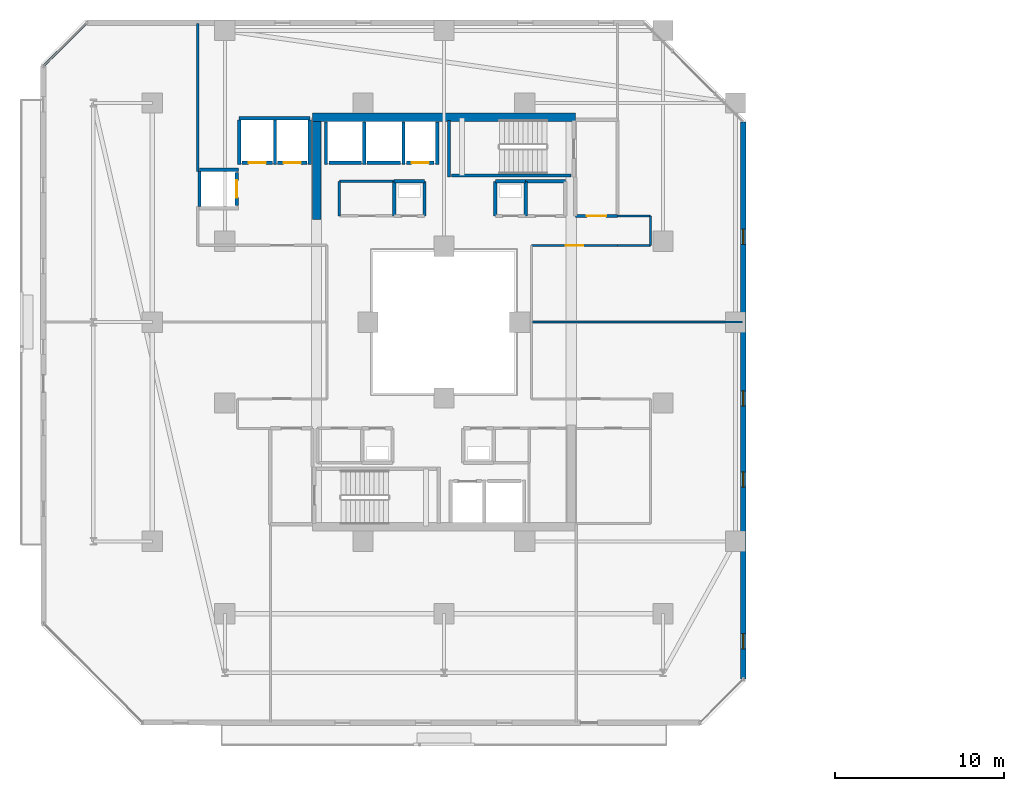
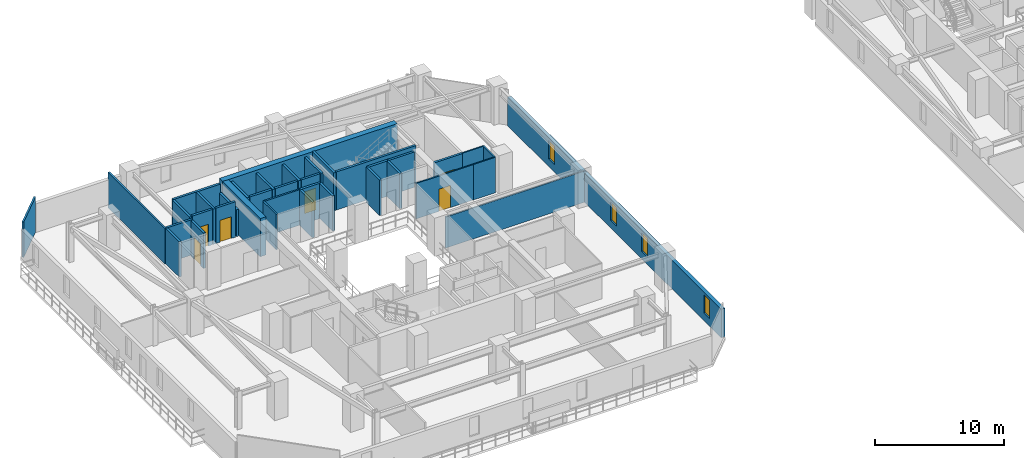
# One storey, part 20 of 32: 38 walls, 6 doors, 4 windows, 10 openings.
"""IFC4 building model written with IfcOpenShell, lengths in metres."""

from ifc_helpers import new_model, si_unit, direction, frame, frame_2d, origin, place, context, subcontext, project, spatial, rectangle, extrude, material, layer, layer_set, type_object, element, fill, save


model = new_model("IFC4")

# Units and contexts
model_context = context("Model", 3, precision=1e-05, world=origin(), true_north=direction((0.0, 1.0)))
body_context = subcontext(model_context, "Body", "Model", "MODEL_VIEW")
ifc_project = project(units=[si_unit("LENGTHUNIT", "METRE"), si_unit("AREAUNIT", "SQUARE_METRE"), si_unit("VOLUMEUNIT", "CUBIC_METRE"), si_unit("PLANEANGLEUNIT", "RADIAN"), si_unit("MASSUNIT", "GRAM", prefix="KILO")], contexts=[model_context])

# Site, building, storey
site_placement = place(None, origin())
site = spatial("IfcSite", under=ifc_project, at=site_placement, CompositionType="ELEMENT")
building_placement = place(site_placement, origin())
building = spatial("IfcBuilding", under=site, at=building_placement, Name="Thornwick Lancets Civic Towers", CompositionType="ELEMENT")
storey_placement = place(building_placement, frame((0.0, 0.0, 123.300048828125)))
storey = spatial("IfcBuildingStorey", under=building, at=storey_placement, Name="L32", CompositionType="ELEMENT", Elevation=123.300048828125)

# Wall, opening, door
ifc_material_1 = material(Name="Concrete blockwork C40/50", Category="masonry")
ifc_layer_1 = layer(ifc_material_1, 0.199951171875, Name="Concrete blockwork C40/50")
ifc_layer_set_1 = layer_set([ifc_layer_1], Name="Concrete blockwork C40/50")
wall_type_1 = type_object("IfcWallType", Name="WALL_COMP_200", PredefinedType="STANDARD", material=ifc_layer_set_1)
wall_1_placement = place(storey_placement, frame((24.919921875, 36.449951171875, 0.0), z_axis=(0.0, 0.0, 1.0), x_axis=(-1.0, 0.0, 0.0)))
wall_1 = element("IfcWall", 1, at=wall_1_placement, inside=storey, type_object=wall_type_1, Name="L32 Hoistway Front Wall FL-A2", PredefinedType="STANDARD", context=body_context, shape_type="SweptSolid", body=[
    extrude(rectangle(XDim=1.639892578125, YDim=0.199951171875, at=frame_2d((0.81982421875, 0.0))), origin(), (0.0, 0.0, 1.0), 3.33984375),
])
opening_1_placement = place(wall_1_placement, frame((0.31005859375, 0.0, 0.0)))
opening_1 = element("IfcOpeningElement", 2, at=opening_1_placement, cuts=wall_1, Name="Opening LD-FL-A2", PredefinedType="OPENING", context=body_context, shape_type="SweptSolid", body=[
    extrude(rectangle(XDim=1.02001953125, YDim=2.06005859375, at=frame_2d((0.510009765625, 1.030029296875))), frame((0.0, 0.10986328125, 0.0), z_axis=(0.0, -1.0, 0.0), x_axis=(1.0, 0.0, 0.0)), (0.0, 0.0, 1.0), 0.219970703125),
])
ifc_material_2 = material(Name="Brushed bronze stainless steel", Category="steel")
door_type_1 = type_object("IfcDoorType", Name="DOOR_LIFT_SLIDE", OperationType="SLIDING_TO_LEFT", PredefinedType="DOOR", material=ifc_material_2)
door_1_placement = place(opening_1_placement, origin())
door_1 = element("IfcDoor", 3, at=door_1_placement, inside=storey, type_object=door_type_1, Name="L32 Sliding Lift Landing Door LD-FL-A2", OperationType="SLIDING_TO_LEFT", OverallHeight=2.06005859375, OverallWidth=1.02001953125, PredefinedType="DOOR", context=body_context, shape_type="SweptSolid", body=[
    extrude(rectangle(XDim=1.02001953125, YDim=2.06005859375, at=frame_2d((0.510009765625, 1.030029296875))), frame((0.0, 0.02490234375, 0.0), z_axis=(0.0, -1.0, 0.0), x_axis=(1.0, 0.0, 0.0)), (0.0, 0.0, 1.0), 0.050048828125),
])
fill(opening_1, door_1)

# Walls
wall_2_placement = place(storey_placement, frame((22.919921875, 36.449951171875, 0.0), z_axis=(0.0, 0.0, 1.0), x_axis=(-1.0, 0.0, 0.0)))
element("IfcWall", 4, at=wall_2_placement, inside=storey, type_object=wall_type_1, Name="L32 Hoistway Front Wall PL-AH2", PredefinedType="STANDARD", context=body_context, shape_type="SweptSolid", body=[
    extrude(rectangle(XDim=1.989990234375, YDim=0.199951171875, at=frame_2d((0.9951171875, 0.0))), origin(), (0.0, 0.0, 1.0), 3.33984375),
])
wall_3_placement = place(storey_placement, frame((20.6201171875, 36.449951171875, 0.0), z_axis=(0.0, 0.0, 1.0), x_axis=(-1.0, 0.0, 0.0)))
element("IfcWall", 5, at=wall_3_placement, inside=storey, type_object=wall_type_1, Name="L32 Hoistway Front Wall PL-AH3", PredefinedType="STANDARD", context=body_context, shape_type="SweptSolid", body=[
    extrude(rectangle(XDim=1.940185546875, YDim=0.199951171875, at=frame_2d((0.97021484375, 0.0))), origin(), (0.0, 0.0, 1.0), 3.33984375),
])

# Wall, opening, door
wall_4_placement = place(storey_placement, frame((17.3701171875, 36.449951171875, 0.0), z_axis=(0.0, 0.0, 1.0), x_axis=(-1.0, 0.0, 0.0)))
wall_4 = element("IfcWall", 6, at=wall_4_placement, inside=storey, type_object=wall_type_1, Name="L32 Hoistway Front Wall PL-AM1", PredefinedType="STANDARD", context=body_context, shape_type="SweptSolid", body=[
    extrude(rectangle(XDim=1.740234375, YDim=0.199951171875, at=frame_2d((0.8701171875, 0.0))), origin(), (0.0, 0.0, 1.0), 3.33984375),
])
opening_2_placement = place(wall_4_placement, frame((0.360107421875, 0.0, 0.0)))
opening_2 = element("IfcOpeningElement", 7, at=opening_2_placement, cuts=wall_4, Name="Opening LD-PL-AM1", PredefinedType="OPENING", context=body_context, shape_type="SweptSolid", body=[
    extrude(rectangle(XDim=1.02001953125, YDim=2.06005859375, at=frame_2d((0.510009765625, 1.030029296875))), frame((0.0, 0.10986328125, 0.0), z_axis=(0.0, -1.0, 0.0), x_axis=(1.0, 0.0, 0.0)), (0.0, 0.0, 1.0), 0.219970703125),
])
door_2_placement = place(opening_2_placement, origin())
door_2 = element("IfcDoor", 8, at=door_2_placement, inside=storey, type_object=door_type_1, Name="L32 Sliding Lift Landing Door LD-PL-AM1", OperationType="SLIDING_TO_LEFT", OverallHeight=2.06005859375, OverallWidth=1.02001953125, PredefinedType="DOOR", context=body_context, shape_type="SweptSolid", body=[
    extrude(rectangle(XDim=1.02001953125, YDim=2.06005859375, at=frame_2d((0.510009765625, 1.030029296875))), frame((0.0, 0.02490234375, 0.0), z_axis=(0.0, -1.0, 0.0), x_axis=(1.0, 0.0, 0.0)), (0.0, 0.0, 1.0), 0.050048828125),
])
fill(opening_2, door_2)

wall_5_placement = place(storey_placement, frame((15.320068359375, 36.449951171875, 0.0), z_axis=(0.0, 0.0, 1.0), x_axis=(-1.0, 0.0, 0.0)))
wall_5 = element("IfcWall", 9, at=wall_5_placement, inside=storey, type_object=wall_type_1, Name="L32 Hoistway Front Wall PL-AM2", PredefinedType="STANDARD", context=body_context, shape_type="SweptSolid", body=[
    extrude(rectangle(XDim=1.7900390625, YDim=0.199951171875, at=frame_2d((0.89501953125, 0.0))), origin(), (0.0, 0.0, 1.0), 3.33984375),
])
opening_3_placement = place(wall_5_placement, frame((0.385009765625, 0.0, 0.0)))
opening_3 = element("IfcOpeningElement", 10, at=opening_3_placement, cuts=wall_5, Name="Opening LD-PL-AM2", PredefinedType="OPENING", context=body_context, shape_type="SweptSolid", body=[
    extrude(rectangle(XDim=1.02001953125, YDim=2.06005859375, at=frame_2d((0.510009765625, 1.030029296875))), frame((0.0, 0.10986328125, 0.0), z_axis=(0.0, -1.0, 0.0), x_axis=(1.0, 0.0, 0.0)), (0.0, 0.0, 1.0), 0.219970703125),
])
door_3_placement = place(opening_3_placement, origin())
door_3 = element("IfcDoor", 11, at=door_3_placement, inside=storey, type_object=door_type_1, Name="L32 Sliding Lift Landing Door LD-PL-AM2", OperationType="SLIDING_TO_LEFT", OverallHeight=2.06005859375, OverallWidth=1.02001953125, PredefinedType="DOOR", context=body_context, shape_type="SweptSolid", body=[
    extrude(rectangle(XDim=1.02001953125, YDim=2.06005859375, at=frame_2d((0.510009765625, 1.030029296875))), frame((0.0, 0.02490234375, 0.0), z_axis=(0.0, -1.0, 0.0), x_axis=(1.0, 0.0, 0.0)), (0.0, 0.0, 1.0), 0.050048828125),
])
fill(opening_3, door_3)

wall_6_placement = place(storey_placement, frame((13.199951171875, 33.929931640625, 0.0), z_axis=(0.0, 0.0, 1.0), x_axis=(0.0, 1.0, 0.0)))
wall_6 = element("IfcWall", 12, at=wall_6_placement, inside=storey, type_object=wall_type_1, Name="L32 Hoistway Front Wall PL-AM3", PredefinedType="STANDARD", context=body_context, shape_type="SweptSolid", body=[
    extrude(rectangle(XDim=1.940185546875, YDim=0.199951171875, at=frame_2d((0.97021484375, 0.0))), origin(), (0.0, 0.0, 1.0), 3.33984375),
])
opening_4_placement = place(wall_6_placement, frame((0.4599609375, 0.0, 0.0)))
opening_4 = element("IfcOpeningElement", 13, at=opening_4_placement, cuts=wall_6, Name="Opening LD-PL-AM3", PredefinedType="OPENING", context=body_context, shape_type="SweptSolid", body=[
    extrude(rectangle(XDim=1.02001953125, YDim=2.06005859375, at=frame_2d((0.510009765625, 1.030029296875))), frame((0.0, 0.10986328125, 0.0), z_axis=(0.0, -1.0, 0.0), x_axis=(1.0, 0.0, 0.0)), (0.0, 0.0, 1.0), 0.219970703125),
])
door_4_placement = place(opening_4_placement, origin())
door_4 = element("IfcDoor", 14, at=door_4_placement, inside=storey, type_object=door_type_1, Name="L32 Sliding Lift Landing Door LD-PL-AM3", OperationType="SLIDING_TO_LEFT", OverallHeight=2.06005859375, OverallWidth=1.02001953125, PredefinedType="DOOR", context=body_context, shape_type="SweptSolid", body=[
    extrude(rectangle(XDim=1.02001953125, YDim=2.06005859375, at=frame_2d((0.510009765625, 1.030029296875))), frame((0.0, 0.02490234375, 0.0), z_axis=(0.0, -1.0, 0.0), x_axis=(1.0, 0.0, 0.0)), (0.0, 0.0, 1.0), 0.050048828125),
])
fill(opening_4, door_4)

# Walls
for number, where, z_axis, x_axis, name in (
    (15, (25.10009765625, 36.35205078125, 0.0), (0.0, 0.0, 1.0), (0.0, 1.0, 0.0), "L32 Hoistway Shaft Wall FL-A2 E"),
    (16, (23.10009765625, 36.35205078125, 0.0), (0.0, 0.0, 1.0), (0.0, 1.0, 0.0), "L32 Hoistway Shaft Wall FL-A2 W"),
    (17, (20.77490234375, 36.35205078125, 0.0), (0.0, 0.0, 1.0), (0.0, 1.0, 0.0), "L32 Hoistway Shaft Wall PL-AH2 W"),
    (18, (18.5, 36.35205078125, 0.0), (0.0, 0.0, 1.0), (0.0, 1.0, 0.0), "L32 Hoistway Shaft Wall PL-AH3 W"),
):
    element("IfcWall", number, at=place(storey_placement, frame(where, z_axis=z_axis, x_axis=x_axis)), inside=storey, type_object=wall_type_1, Name=name, PredefinedType="STANDARD", context=body_context, shape_type="SweptSolid", body=[
        extrude(rectangle(XDim=2.535888671875, YDim=0.199951171875, at=frame_2d((1.26806640625, 0.0))), origin(), (0.0, 0.0, 1.0), 3.33984375),
    ])
wall_7_placement = place(storey_placement, frame((13.35205078125, 39.10009765625, 0.0), z_axis=(0.0, 0.0, 1.0), x_axis=(1.0, 0.0, 0.0)))
element("IfcWall", 19, at=wall_7_placement, inside=storey, type_object=wall_type_1, Name="L32 Hoistway Shaft Wall PL-AM1 N", PredefinedType="STANDARD", context=body_context, shape_type="SweptSolid", body=[
    extrude(rectangle(XDim=4.196044921875, YDim=0.199951171875, at=frame_2d((2.09814453125, 0.0))), origin(), (0.0, 0.0, 1.0), 3.33984375),
])
wall_8_placement = place(storey_placement, frame((17.550048828125, 36.35205078125, 0.0), z_axis=(0.0, 0.0, 1.0), x_axis=(0.0, 1.0, 0.0)))
element("IfcWall", 20, at=wall_8_placement, inside=storey, type_object=wall_type_1, Name="L32 Hoistway Shaft Wall PL-AM1 E", PredefinedType="STANDARD", context=body_context, shape_type="SweptSolid", body=[
    extrude(rectangle(XDim=2.635986328125, YDim=0.199951171875, at=frame_2d((1.31787109375, 0.0))), origin(), (0.0, 0.0, 1.0), 2.544921875),
])
for number, where, z_axis, x_axis, name in (
    (21, (15.47509765625, 36.35205078125, 0.0), (0.0, 0.0, 1.0), (0.0, 1.0, 0.0), "L32 Hoistway Shaft Wall PL-AM1 W"),
    (22, (13.35009765625, 36.35205078125, 0.0), (0.0, 0.0, 1.0), (0.0, 1.0, 0.0), "L32 Hoistway Shaft Wall PL-AM2 W"),
):
    element("IfcWall", number, at=place(storey_placement, frame(where, z_axis=z_axis, x_axis=x_axis)), inside=storey, type_object=wall_type_1, Name=name, PredefinedType="STANDARD", context=body_context, shape_type="SweptSolid", body=[
        extrude(rectangle(XDim=2.635986328125, YDim=0.199951171875, at=frame_2d((1.31787109375, 0.0))), origin(), (0.0, 0.0, 1.0), 3.33984375),
    ])
wall_9_placement = place(storey_placement, frame((11.001953125, 36.050048828125, 0.0), z_axis=(0.0, 0.0, 1.0), x_axis=(1.0, 0.0, 0.0)))
element("IfcWall", 23, at=wall_9_placement, inside=storey, type_object=wall_type_1, Name="L32 Hoistway Shaft Wall PL-AM3 N", PredefinedType="STANDARD", context=body_context, shape_type="SweptSolid", body=[
    extrude(rectangle(XDim=2.296142578125, YDim=0.199951171875, at=frame_2d((1.14794921875, 0.0))), origin(), (0.0, 0.0, 1.0), 3.33984375),
])
wall_10_placement = place(storey_placement, frame((11.0, 33.862060546875, 0.0), z_axis=(0.0, 0.0, 1.0), x_axis=(0.0, 1.0, 0.0)))
element("IfcWall", 24, at=wall_10_placement, inside=storey, type_object=wall_type_1, Name="L32 Hoistway Shaft Wall PL-AM3 W", PredefinedType="STANDARD", context=body_context, shape_type="SweptSolid", body=[
    extrude(rectangle(XDim=2.075927734375, YDim=0.199951171875, at=frame_2d((1.0380859375, 0.0))), origin(), (0.0, 0.0, 1.0), 3.33984375),
])

# Wall, opening, door
wall_11_placement = place(storey_placement, frame((33.300048828125, 33.300048828125, 0.0), z_axis=(0.0, 0.0, 1.0), x_axis=(1.0, 0.0, 0.0)))
wall_11 = element("IfcWall", 25, at=wall_11_placement, inside=storey, type_object=wall_type_1, Name="L32 Partition L32-A-FFLOB2 E1", PredefinedType="STANDARD", context=body_context, shape_type="SweptSolid", body=[
    extrude(rectangle(XDim=2.5, YDim=0.199951171875, at=frame_2d((1.25, 0.0))), origin(), (0.0, 0.0, 1.0), 3.33984375),
])
opening_5_placement = place(wall_11_placement, frame((0.675048828125, 0.0, 0.0)))
opening_5 = element("IfcOpeningElement", 26, at=opening_5_placement, cuts=wall_11, Name="Opening D-L32-1458", PredefinedType="OPENING", context=body_context, shape_type="SweptSolid", body=[
    extrude(rectangle(XDim=1.14990234375, YDim=2.10009765625, at=frame_2d((0.574951171875, 1.050048828125))), frame((0.0, 0.10986328125, 0.0), z_axis=(0.0, -1.0, 0.0), x_axis=(1.0, 0.0, 0.0)), (0.0, 0.0, 1.0), 0.219970703125),
])
ifc_material_3 = material(Name="Glazed fire-resisting steel", Category="steel")
door_type_2 = type_object("IfcDoorType", Name="DOOR_LOBBY_FD60", OperationType="NOTDEFINED", PredefinedType="DOOR", material=ifc_material_3)
door_5_placement = place(opening_5_placement, origin())
door_5 = element("IfcDoor", 27, at=door_5_placement, inside=storey, type_object=door_type_2, Name="L32 North Firefighting Lobby 2 Door", OperationType="SINGLE_SWING_LEFT", OverallHeight=2.10009765625, OverallWidth=1.14990234375, PredefinedType="DOOR", context=body_context, shape_type="SweptSolid", body=[
    extrude(rectangle(XDim=1.14990234375, YDim=2.10009765625, at=frame_2d((0.574951171875, 1.050048828125))), frame((0.0, 0.02490234375, 0.0), z_axis=(0.0, -1.0, 0.0), x_axis=(1.0, 0.0, 0.0)), (0.0, 0.0, 1.0), 0.050048828125),
])
fill(opening_5, door_5)

# Walls
wall_12_placement = place(storey_placement, frame((24.35009765625, 33.300048828125, 0.0), z_axis=(0.0, 0.0, 1.0), x_axis=(0.0, 1.0, 0.0)))
element("IfcWall", 28, at=wall_12_placement, inside=storey, type_object=wall_type_1, Name="L32 Partition L32-A-DUCT2 E2", PredefinedType="STANDARD", context=body_context, shape_type="SweptSolid", body=[
    extrude(rectangle(XDim=2.050048828125, YDim=0.199951171875, at=frame_2d((1.02490234375, 0.0))), origin(), (0.0, 0.0, 1.0), 3.33984375),
])
wall_13_placement = place(storey_placement, frame((24.35009765625, 35.35009765625, 0.0), z_axis=(0.0, 0.0, 1.0), x_axis=(-1.0, 0.0, 0.0)))
element("IfcWall", 29, at=wall_13_placement, inside=storey, type_object=wall_type_1, Name="L32 Partition L32-A-DUCT2 E3", PredefinedType="STANDARD", context=body_context, shape_type="SweptSolid", body=[
    extrude(rectangle(XDim=1.800048828125, YDim=0.199951171875, at=frame_2d((0.89990234375, 0.0))), origin(), (0.0, 0.0, 1.0), 3.33984375),
])
for number, where, z_axis, x_axis, name in (
    (30, (22.550048828125, 35.35009765625, 0.0), (0.0, 0.0, 1.0), (0.0, -1.0, 0.0), "L32 Partition L32-A-DUCT2 E4"),
    (31, (30.35009765625, 33.300048828125, 0.0), (0.0, 0.0, 1.0), (0.0, 1.0, 0.0), "L32 Partition L32-A-RISER2 E2"),
):
    element("IfcWall", number, at=place(storey_placement, frame(where, z_axis=z_axis, x_axis=x_axis)), inside=storey, type_object=wall_type_1, Name=name, PredefinedType="STANDARD", context=body_context, shape_type="SweptSolid", body=[
        extrude(rectangle(XDim=2.050048828125, YDim=0.199951171875, at=frame_2d((1.02490234375, 0.0))), origin(), (0.0, 0.0, 1.0), 3.33984375),
    ])
wall_14_placement = place(storey_placement, frame((30.35009765625, 35.35009765625, 0.0), z_axis=(0.0, 0.0, 1.0), x_axis=(-1.0, 0.0, 0.0)))
element("IfcWall", 32, at=wall_14_placement, inside=storey, type_object=wall_type_1, Name="L32 Partition L32-A-RISER2 E3", PredefinedType="STANDARD", context=body_context, shape_type="SweptSolid", body=[
    extrude(rectangle(XDim=1.800048828125, YDim=0.199951171875, at=frame_2d((0.89990234375, 0.0))), origin(), (0.0, 0.0, 1.0), 3.33984375),
])
wall_15_placement = place(storey_placement, frame((28.550048828125, 35.35009765625, 0.0), z_axis=(0.0, 0.0, 1.0), x_axis=(0.0, -1.0, 0.0)))
element("IfcWall", 33, at=wall_15_placement, inside=storey, type_object=wall_type_1, Name="L32 Partition L32-A-RISER2 E4", PredefinedType="STANDARD", context=body_context, shape_type="SweptSolid", body=[
    extrude(rectangle(XDim=2.050048828125, YDim=0.199951171875, at=frame_2d((1.02490234375, 0.0))), origin(), (0.0, 0.0, 1.0), 3.33984375),
])
wall_16_placement = place(storey_placement, frame((30.35009765625, 35.35009765625, 0.0), z_axis=(0.0, 0.0, 1.0), x_axis=(1.0, 0.0, 0.0)))
element("IfcWall", 34, at=wall_16_placement, inside=storey, type_object=wall_type_1, Name="L32 Partition L32-A-STR E4", PredefinedType="STANDARD", context=body_context, shape_type="SweptSolid", body=[
    extrude(rectangle(XDim=2.349853515625, YDim=0.199951171875, at=frame_2d((1.1748046875, 0.0))), origin(), (0.0, 0.0, 1.0), 3.33984375),
])
ifc_material_4 = material(Name="Concrete C50/60", Category="concrete")
ifc_layer_2 = layer(ifc_material_4, 0.5, Name="Concrete C50/60")
ifc_layer_set_2 = layer_set([ifc_layer_2], Name="Concrete C50/60")
wall_type_2 = type_object("IfcWallType", Name="WALL_CORE_500", PredefinedType="SHEAR", material=ifc_layer_set_2)
wall_17_placement = place(storey_placement, frame((17.699951171875, 39.14990234375, 0.0), z_axis=(0.0, 0.0, 1.0), x_axis=(1.0, 0.0, 0.0)))
element("IfcWall", 35, at=wall_17_placement, inside=storey, type_object=wall_type_2, Name="L32 Split Core A2 Shear Wall N", PredefinedType="SHEAR", context=body_context, shape_type="SweptSolid", body=[
    extrude(rectangle(XDim=15.60009765625, YDim=0.5, at=frame_2d((7.800048828125, 0.0))), origin(), (0.0, 0.0, 1.0), 3.599853515625),
])
wall_18_placement = place(storey_placement, frame((17.949951171875, 33.10009765625, 0.0), z_axis=(0.0, 0.0, 1.0), x_axis=(0.0, 1.0, 0.0)))
element("IfcWall", 36, at=wall_18_placement, inside=storey, type_object=wall_type_2, Name="L32 Split Core A2 Shear Wall W", PredefinedType="SHEAR", context=body_context, shape_type="SweptSolid", body=[
    extrude(rectangle(XDim=5.7998046875, YDim=0.5, at=frame_2d((2.89990234375, 0.0))), origin(), (0.0, 0.0, 1.0), 3.599853515625),
])

# Wall, openings, windows
ifc_material_5 = material(Name="Insulated buff terracotta rainscreen on concrete C40/50", Category="masonry")
ifc_layer_3 = layer(ifc_material_5, 0.320068359375, Name="Insulated buff terracotta rainscreen on concrete C40/50")
ifc_layer_set_3 = layer_set([ifc_layer_3], Name="Insulated buff terracotta rainscreen on concrete C40/50")
wall_type_3 = type_object("IfcWallType", Name="WALL_EXT_TERRA_320", PredefinedType="STANDARD", material=ifc_layer_set_3)
wall_19_placement = place(storey_placement, frame((43.2646484375, 5.818603515625, 0.0), z_axis=(0.0, 0.0, 1.0), x_axis=(-0.000332378036, 0.999999944762, 0.0)))
wall_19 = element("IfcWall", 37, at=wall_19_placement, inside=storey, type_object=wall_type_3, Name="L32 Tower A Terracotta Facade Wall E2", PredefinedType="STANDARD", context=body_context, shape_type="SweptSolid", body=[
    extrude(rectangle(XDim=33.0537109375, YDim=0.320068359375, at=frame_2d((16.52685546875, 0.0))), origin(), (0.0, 0.0, 1.0), 2.699951171875),
])
opening_6_placement = place(wall_19_placement, frame((1.800048828125, 0.0, 0.719970703125)))
opening_6 = element("IfcOpeningElement", 38, at=opening_6_placement, cuts=wall_19, Name="Opening WL-01", PredefinedType="OPENING", context=body_context, shape_type="SweptSolid", body=[
    extrude(rectangle(XDim=0.89990234375, YDim=1.75, at=frame_2d((0.449951171875, 0.875))), frame((0.0, 0.169921875, 0.0), z_axis=(0.0, -1.0, 0.0), x_axis=(1.0, 0.0, 0.0)), (0.0, 0.0, 1.0), 0.340087890625),
])
opening_7_placement = place(wall_19_placement, frame((11.39990234375, 0.0, 0.719970703125)))
opening_7 = element("IfcOpeningElement", 39, at=opening_7_placement, cuts=wall_19, Name="Opening WL-01", PredefinedType="OPENING", context=body_context, shape_type="SweptSolid", body=[
    extrude(rectangle(XDim=0.89990234375, YDim=1.75, at=frame_2d((0.449951171875, 0.875))), frame((0.0, 0.169921875, 0.0), z_axis=(0.0, -1.0, 0.0), x_axis=(1.0, 0.0, 0.0)), (0.0, 0.0, 1.0), 0.340087890625),
])
opening_8_placement = place(wall_19_placement, frame((16.199951171875, 0.0, 0.719970703125)))
opening_8 = element("IfcOpeningElement", 40, at=opening_8_placement, cuts=wall_19, Name="Opening WL-01", PredefinedType="OPENING", context=body_context, shape_type="SweptSolid", body=[
    extrude(rectangle(XDim=0.89990234375, YDim=1.75, at=frame_2d((0.449951171875, 0.875))), frame((0.0, 0.169921875, 0.0), z_axis=(0.0, -1.0, 0.0), x_axis=(1.0, 0.0, 0.0)), (0.0, 0.0, 1.0), 0.340087890625),
])
opening_9_placement = place(wall_19_placement, frame((25.800048828125, 0.0, 0.719970703125)))
opening_9 = element("IfcOpeningElement", 41, at=opening_9_placement, cuts=wall_19, Name="Opening WL-01", PredefinedType="OPENING", context=body_context, shape_type="SweptSolid", body=[
    extrude(rectangle(XDim=0.89990234375, YDim=1.75, at=frame_2d((0.449951171875, 0.875))), frame((0.0, 0.169921875, 0.0), z_axis=(0.0, -1.0, 0.0), x_axis=(1.0, 0.0, 0.0)), (0.0, 0.0, 1.0), 0.340087890625),
])
ifc_material_6 = material(Name="Clear low-e double glazing in bronze frame", Category="glass")
window_type = type_object("IfcWindowType", Name="WIN_LANCET_900", PartitioningType="SINGLE_PANEL", PredefinedType="WINDOW", material=ifc_material_6)
window_1_placement = place(opening_6_placement, origin())
window_1 = element("IfcWindow", 42, at=window_1_placement, inside=storey, type_object=window_type, Name="L32 Tower A Staggered Lancet Window E2-1", OverallHeight=1.75, OverallWidth=0.89990234375, PartitioningType="SINGLE_PANEL", PredefinedType="WINDOW", context=body_context, shape_type="SweptSolid", body=[
    extrude(rectangle(XDim=0.89990234375, YDim=1.75, at=frame_2d((0.449951171875, 0.875))), frame((0.0, 0.030029296875, 0.0), z_axis=(0.0, -1.0, 0.0), x_axis=(1.0, 0.0, 0.0)), (0.0, 0.0, 1.0), 0.06005859375),
])
fill(opening_6, window_1)
window_2_placement = place(opening_7_placement, origin())
window_2 = element("IfcWindow", 43, at=window_2_placement, inside=storey, type_object=window_type, Name="L32 Tower A Staggered Lancet Window E2-2", OverallHeight=1.75, OverallWidth=0.89990234375, PartitioningType="SINGLE_PANEL", PredefinedType="WINDOW", context=body_context, shape_type="SweptSolid", body=[
    extrude(rectangle(XDim=0.89990234375, YDim=1.75, at=frame_2d((0.449951171875, 0.875))), frame((0.0, 0.030029296875, 0.0), z_axis=(0.0, -1.0, 0.0), x_axis=(1.0, 0.0, 0.0)), (0.0, 0.0, 1.0), 0.06005859375),
])
fill(opening_7, window_2)
window_3_placement = place(opening_8_placement, origin())
window_3 = element("IfcWindow", 44, at=window_3_placement, inside=storey, type_object=window_type, Name="L32 Tower A Staggered Lancet Window E2-3", OverallHeight=1.75, OverallWidth=0.89990234375, PartitioningType="SINGLE_PANEL", PredefinedType="WINDOW", context=body_context, shape_type="SweptSolid", body=[
    extrude(rectangle(XDim=0.89990234375, YDim=1.75, at=frame_2d((0.449951171875, 0.875))), frame((0.0, 0.030029296875, 0.0), z_axis=(0.0, -1.0, 0.0), x_axis=(1.0, 0.0, 0.0)), (0.0, 0.0, 1.0), 0.06005859375),
])
fill(opening_8, window_3)
window_4_placement = place(opening_9_placement, origin())
window_4 = element("IfcWindow", 45, at=window_4_placement, inside=storey, type_object=window_type, Name="L32 Tower A Staggered Lancet Window E2-4", OverallHeight=1.75, OverallWidth=0.89990234375, PartitioningType="SINGLE_PANEL", PredefinedType="WINDOW", context=body_context, shape_type="SweptSolid", body=[
    extrude(rectangle(XDim=0.89990234375, YDim=1.75, at=frame_2d((0.449951171875, 0.875))), frame((0.0, 0.030029296875, 0.0), z_axis=(0.0, -1.0, 0.0), x_axis=(1.0, 0.0, 0.0)), (0.0, 0.0, 1.0), 0.06005859375),
])
fill(opening_9, window_4)

# Wall
ifc_material_7 = material(Name="Acoustic gypsum board partition")
ifc_layer_4 = layer(ifc_material_7, 0.1201171875, Name="Acoustic gypsum board partition")
ifc_layer_set_4 = layer_set([ifc_layer_4], Name="Acoustic gypsum board partition")
wall_type_4 = type_object("IfcWallType", Name="WALL_PART_120", PredefinedType="PARTITIONING", material=ifc_layer_set_4)
wall_20_placement = place(storey_placement, frame((30.699951171875, 27.0, 0.0), z_axis=(0.0, 0.0, 1.0), x_axis=(1.0, 0.0, 0.0)))
element("IfcWall", 46, at=wall_20_placement, inside=storey, type_object=wall_type_4, Name="L32 Partition L32-A-E1 E8", PredefinedType="PARTITIONING", context=body_context, shape_type="SweptSolid", body=[
    extrude(rectangle(XDim=12.52001953125, YDim=0.1201171875, at=frame_2d((6.260009765625, 0.0))), origin(), (0.0, 0.0, 1.0), 2.93212890625),
])

# Wall, opening, door
wall_21_placement = place(storey_placement, frame((30.699951171875, 31.550048828125, 0.0), z_axis=(0.0, 0.0, 1.0), x_axis=(1.0, 0.0, 0.0)))
wall_21 = element("IfcWall", 47, at=wall_21_placement, inside=storey, type_object=wall_type_4, Name="L32 Partition L32-A-E3 E1", PredefinedType="PARTITIONING", context=body_context, shape_type="SweptSolid", body=[
    extrude(rectangle(XDim=5.10009765625, YDim=0.1201171875, at=frame_2d((2.550048828125, 0.0))), origin(), (0.0, 0.0, 1.0), 3.33984375),
])
opening_10_placement = place(wall_21_placement, frame((2.02490234375, 0.0, 0.0)))
opening_10 = element("IfcOpeningElement", 48, at=opening_10_placement, cuts=wall_21, Name="Opening D-L32-1483", PredefinedType="OPENING", context=body_context, shape_type="SweptSolid", body=[
    extrude(rectangle(XDim=1.050048828125, YDim=2.10009765625, at=frame_2d((0.52490234375, 1.050048828125))), frame((0.0, 0.070068359375, 0.0), z_axis=(0.0, -1.0, 0.0), x_axis=(1.0, 0.0, 0.0)), (0.0, 0.0, 1.0), 0.14013671875),
])
ifc_material_8 = material(Name="Glazed European oak executive doorset")
door_type_3 = type_object("IfcDoorType", Name="DOOR_OFFICE_1050", OperationType="NOTDEFINED", PredefinedType="DOOR", material=ifc_material_8)
door_6_placement = place(opening_10_placement, origin())
door_6 = element("IfcDoor", 49, at=door_6_placement, inside=storey, type_object=door_type_3, Name="L32 Tower A Civic Seminar Room Door", OperationType="SINGLE_SWING_RIGHT", OverallHeight=2.10009765625, OverallWidth=1.050048828125, PredefinedType="DOOR", context=body_context, shape_type="SweptSolid", body=[
    extrude(rectangle(XDim=1.050048828125, YDim=2.10009765625, at=frame_2d((0.52490234375, 1.050048828125))), frame((0.0, 0.02490234375, 0.0), z_axis=(0.0, -1.0, 0.0), x_axis=(1.0, 0.0, 0.0)), (0.0, 0.0, 1.0), 0.050048828125),
])
fill(opening_10, door_6)

# Walls
wall_22_placement = place(storey_placement, frame((35.800048828125, 31.550048828125, 0.0), z_axis=(0.0, 0.0, 1.0), x_axis=(1.0, 0.0, 0.0)))
element("IfcWall", 50, at=wall_22_placement, inside=storey, type_object=wall_type_4, Name="L32 Partition L32-A-E3 E2", PredefinedType="PARTITIONING", context=body_context, shape_type="SweptSolid", body=[
    extrude(rectangle(XDim=1.949951171875, YDim=0.1201171875, at=frame_2d((0.97509765625, 0.0))), origin(), (0.0, 0.0, 1.0), 3.33984375),
])
wall_23_placement = place(storey_placement, frame((37.75, 31.550048828125, 0.0), z_axis=(0.0, 0.0, 1.0), x_axis=(0.0, 1.0, 0.0)))
element("IfcWall", 51, at=wall_23_placement, inside=storey, type_object=wall_type_4, Name="L32 Partition L32-A-E3 E3", PredefinedType="PARTITIONING", context=body_context, shape_type="SweptSolid", body=[
    extrude(rectangle(XDim=1.75, YDim=0.1201171875, at=frame_2d((0.875, 0.0))), origin(), (0.0, 0.0, 1.0), 3.33984375),
])
wall_24_placement = place(storey_placement, frame((37.75, 33.300048828125, 0.0), z_axis=(0.0, 0.0, 1.0), x_axis=(-1.0, 0.0, 0.0)))
element("IfcWall", 52, at=wall_24_placement, inside=storey, type_object=wall_type_4, Name="L32 Partition L32-A-E3 E4", PredefinedType="PARTITIONING", context=body_context, shape_type="SweptSolid", body=[
    extrude(rectangle(XDim=1.949951171875, YDim=0.1201171875, at=frame_2d((0.97509765625, 0.0))), origin(), (0.0, 0.0, 1.0), 3.33984375),
])
ifc_material_9 = material(Name="Twin-stud acoustic gypsum board")
ifc_layer_5 = layer(ifc_material_9, 0.14990234375, Name="Twin-stud acoustic gypsum board")
ifc_layer_set_5 = layer_set([ifc_layer_5], Name="Twin-stud acoustic gypsum board")
wall_type_5 = type_object("IfcWallType", Name="WALL_PART_150", PredefinedType="PARTITIONING", material=ifc_layer_set_5)
wall_25_placement = place(storey_placement, frame((19.300048828125, 33.300048828125, 0.0), z_axis=(0.0, 0.0, 1.0), x_axis=(0.0, 1.0, 0.0)))
element("IfcWall", 53, at=wall_25_placement, inside=storey, type_object=wall_type_5, Name="L32 Partition L32-A-FWC E1", PredefinedType="PARTITIONING", context=body_context, shape_type="SweptSolid", body=[
    extrude(rectangle(XDim=2.050048828125, YDim=0.14990234375, at=frame_2d((1.02490234375, 0.0))), origin(), (0.0, 0.0, 1.0), 3.33984375),
])
wall_26_placement = place(storey_placement, frame((19.300048828125, 35.35009765625, 0.0), z_axis=(0.0, 0.0, 1.0), x_axis=(1.0, 0.0, 0.0)))
element("IfcWall", 54, at=wall_26_placement, inside=storey, type_object=wall_type_5, Name="L32 Partition L32-A-FWC E2", PredefinedType="PARTITIONING", context=body_context, shape_type="SweptSolid", body=[
    extrude(rectangle(XDim=3.25, YDim=0.14990234375, at=frame_2d((1.625, 0.0))), origin(), (0.0, 0.0, 1.0), 3.33984375),
])
wall_27_placement = place(storey_placement, frame((1.780029296875, 42.225341796875, 0.0), z_axis=(0.0, 0.0, 1.0), x_axis=(0.707106781187, 0.707106781187, 0.0)))
element("IfcWall", 55, at=wall_27_placement, inside=storey, type_object=wall_type_5, Name="L32 Partition L32-A-W2 E5", PredefinedType="PARTITIONING", context=body_context, shape_type="SweptSolid", body=[
    extrude(rectangle(XDim=3.52783203125, YDim=0.14990234375, at=frame_2d((1.763916015625, 0.0))), origin(), (0.0, 0.0, 1.0), 3.33984375),
])
wall_28_placement = place(storey_placement, frame((10.89990234375, 44.719970703125, 0.0), z_axis=(0.0, 0.0, 1.0), x_axis=(0.0, -1.0, 0.0)))
element("IfcWall", 56, at=wall_28_placement, inside=storey, type_object=wall_type_5, Name="L32 Partition L32-A-W2 E7", PredefinedType="PARTITIONING", context=body_context, shape_type="SweptSolid", body=[
    extrude(rectangle(XDim=8.781982421875, YDim=0.14990234375, at=frame_2d((4.39111328125, 0.0))), origin(), (0.0, 0.0, 1.0), 3.33984375),
])
ifc_material_10 = material(Name="Concrete C40/50", Category="concrete")
ifc_layer_6 = layer(ifc_material_10, 0.199951171875, Name="Concrete C40/50")
ifc_layer_set_6 = layer_set([ifc_layer_6], Name="Concrete C40/50")
wall_type_6 = type_object("IfcWallType", Name="WALL_SHAFT_200", PredefinedType="SHEAR", material=ifc_layer_set_6)
wall_29_placement = place(storey_placement, frame((25.800048828125, 35.60009765625, 0.0), z_axis=(0.0, 0.0, 1.0), x_axis=(0.0, 1.0, 0.0)))
element("IfcWall", 57, at=wall_29_placement, inside=storey, type_object=wall_type_6, Name="L32 ST-A2 Fire Stair Core Wall FAR", PredefinedType="SHEAR", context=body_context, shape_type="SweptSolid", body=[
    extrude(rectangle(XDim=3.349853515625, YDim=0.199951171875, at=frame_2d((1.6748046875, 0.0))), origin(), (0.0, 0.0, 1.0), 3.599853515625),
])
wall_30_placement = place(storey_placement, frame((25.949951171875, 35.702880859375, 0.0), z_axis=(0.0, 0.0, 1.0), x_axis=(1.0, 0.0, 0.0)))
element("IfcWall", 58, at=wall_30_placement, inside=storey, type_object=wall_type_6, Name="L32 ST-A2 Fire Stair Core Wall RIGHT", PredefinedType="SHEAR", context=body_context, shape_type="SweptSolid", body=[
    extrude(rectangle(XDim=7.10009765625, YDim=0.199951171875, at=frame_2d((3.550048828125, 0.0))), origin(), (0.0, 0.0, 1.0), 3.599853515625),
])

save(model, "model.ifc")
